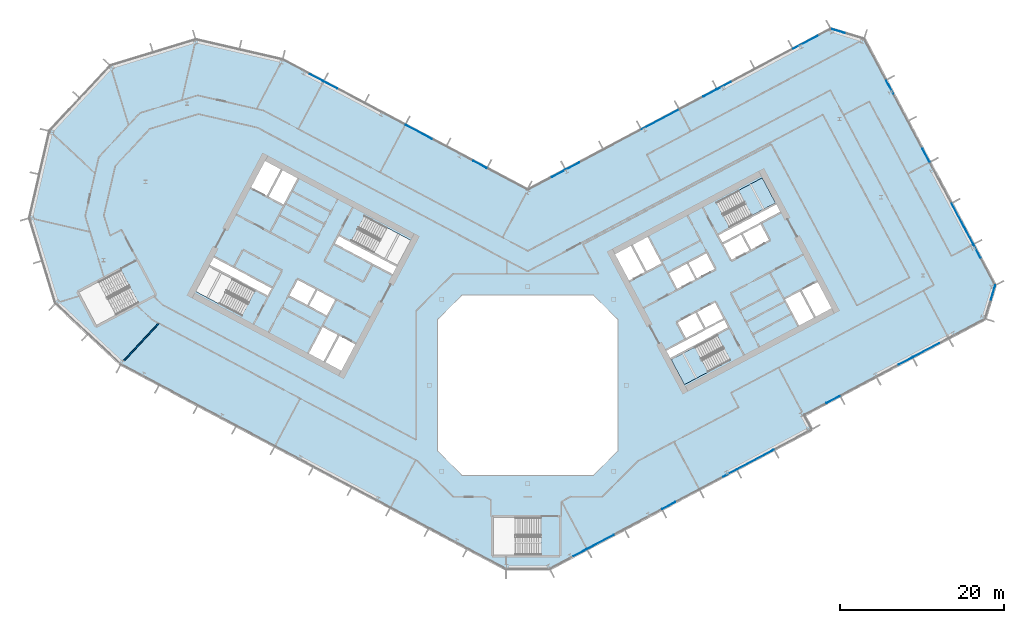
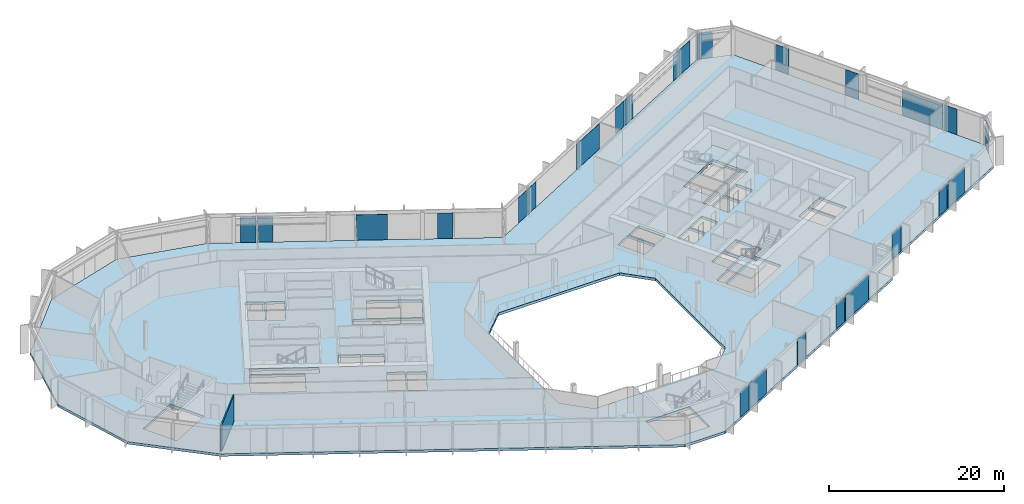
# One storey, part 12 of 28: 24 plates, 3 slabs, 1 wall, 9 elements without a shape of their own.
"""IFC4 building model written with IfcOpenShell, lengths in metres."""

from ifc_helpers import new_model, si_unit, direction, frame, frame_2d, origin, origin_2d, place, context, subcontext, project, spatial, polyline, rectangle, outline, extrude, material, layer, layer_set, type_object, element, aggregate, save


model = new_model("IFC4")

# Units and contexts
model_context = context("Model", 3, precision=1e-05, world=origin(), true_north=direction((0.0, 1.0)))
body_context = subcontext(model_context, "Body", "Model", "MODEL_VIEW")
ifc_project = project(units=[si_unit("LENGTHUNIT", "METRE"), si_unit("AREAUNIT", "SQUARE_METRE"), si_unit("VOLUMEUNIT", "CUBIC_METRE"), si_unit("PLANEANGLEUNIT", "RADIAN"), si_unit("MASSUNIT", "GRAM", prefix="KILO")], contexts=[model_context])

# Site, building, storey
site_placement = place(None, origin())
site = spatial("IfcSite", under=ifc_project, at=site_placement, CompositionType="ELEMENT")
building_placement = place(site_placement, origin())
building = spatial("IfcBuilding", under=site, at=building_placement, Name="Cormorant Relay Tower", CompositionType="ELEMENT")
storey_placement = place(building_placement, frame((0.0, 0.0, 162.199951171875)))
storey = spatial("IfcBuildingStorey", under=building, at=storey_placement, Name="L34", CompositionType="ELEMENT", Elevation=162.199951171875)

# Curtain wall, plates
ifc_material_1 = material(Name="Aluminium 6063-T6 anodised bronze", Category="aluminium")
ifc_layer_1 = layer(ifc_material_1, 0.199951171875)
ifc_layer_set_1 = layer_set([ifc_layer_1], Name="CW1 unitised bronze curtain wall with vertical fins")
curtain_wall_type = type_object("IfcCurtainWallType", Name="CW1 unitised bronze curtain wall with vertical fins", PredefinedType="NOTDEFINED", material=ifc_layer_set_1)
curtain_wall_1_placement = place(storey_placement, origin())
curtain_wall_1 = element("IfcCurtainWall", 1, at=curtain_wall_1_placement, inside=storey, type_object=curtain_wall_type, Name="CW1 curtain wall 2", PredefinedType="NOTDEFINED")
ifc_material_2 = material(Name="Tinted laminated glass", Category="glass")
ifc_layer_2 = layer(ifc_material_2, 0.0400390625)
ifc_layer_set_2 = layer_set([ifc_layer_2], Name="CW1 tinted vision panel 1800 module")
plate_type_1 = type_object("IfcPlateType", Name="CW1 tinted vision panel 1800 module", PredefinedType="CURTAIN_PANEL", material=ifc_layer_set_2)
plate_1_placement = place(storey_placement, frame((6.359130859375, -20.42529296875, 0.0), z_axis=(0.0, 0.0, 1.0), x_axis=(0.882947592859, 0.469471562786, 0.0)))
plate_1 = element("IfcPlate", 2, at=plate_1_placement, type_object=plate_type_1, Name="CW1 panel V01", PredefinedType="CURTAIN_PANEL", context=body_context, shape_type="SweptSolid", body=[
    extrude(rectangle(XDim=1.800048828125, YDim=0.0400390625, at=origin_2d()), origin(), (0.0, 0.0, 1.0), 3.550048828125),
])
plate_2_placement = place(storey_placement, frame((17.20458984375, -14.65869140625, 0.0), z_axis=(0.0, 0.0, 1.0), x_axis=(0.882947592859, 0.469471562786, 0.0)))
plate_2 = element("IfcPlate", 3, at=plate_2_placement, type_object=plate_type_1, Name="CW1 panel V04", PredefinedType="CURTAIN_PANEL", context=body_context, shape_type="SweptSolid", body=[
    extrude(rectangle(XDim=1.800048828125, YDim=0.0400390625, at=origin_2d()), origin(), (0.0, 0.0, 1.0), 3.550048828125),
])
plate_3_placement = place(storey_placement, frame((24.6064453125, -10.72314453125, 0.0), z_axis=(0.0, 0.0, 1.0), x_axis=(0.882947592859, 0.469471562786, 0.0)))
plate_3 = element("IfcPlate", 4, at=plate_3_placement, type_object=plate_type_1, Name="CW1 panel V06", PredefinedType="CURTAIN_PANEL", context=body_context, shape_type="SweptSolid", body=[
    extrude(rectangle(XDim=1.800048828125, YDim=0.0400390625, at=origin_2d()), origin(), (0.0, 0.0, 1.0), 3.550048828125),
])

curtain_wall_2_placement = place(storey_placement, origin())
curtain_wall_2 = element("IfcCurtainWall", 5, at=curtain_wall_2_placement, inside=storey, type_object=curtain_wall_type, Name="CW1 curtain wall 4", PredefinedType="NOTDEFINED")
plate_4_placement = place(storey_placement, frame((37.205810546875, -1.7587890625, 0.0), z_axis=(0.0, 0.0, 1.0), x_axis=(0.882947592859, 0.469471562786, 0.0)))
plate_4 = element("IfcPlate", 6, at=plate_4_placement, type_object=plate_type_1, Name="CW1 panel V01", PredefinedType="CURTAIN_PANEL", context=body_context, shape_type="SweptSolid", body=[
    extrude(rectangle(XDim=1.800048828125, YDim=0.0400390625, at=origin_2d()), origin(), (0.0, 0.0, 1.0), 3.550048828125),
])
plate_5_placement = place(storey_placement, frame((46.03515625, 2.935791015625, 0.0), z_axis=(0.0, 0.0, 1.0), x_axis=(0.882947592859, 0.469471562786, 0.0)))
plate_5 = element("IfcPlate", 7, at=plate_5_placement, type_object=plate_type_1, Name="CW1 panel V03", PredefinedType="CURTAIN_PANEL", context=body_context, shape_type="SweptSolid", body=[
    extrude(rectangle(XDim=1.800048828125, YDim=0.0400390625, at=origin_2d()), origin(), (0.0, 0.0, 1.0), 3.550048828125),
])

# Curtain wall, plate
curtain_wall_3_placement = place(storey_placement, origin())
curtain_wall_3 = element("IfcCurtainWall", 8, at=curtain_wall_3_placement, inside=storey, type_object=curtain_wall_type, Name="CW1 curtain wall 5", PredefinedType="NOTDEFINED")
plate_6_placement = place(storey_placement, frame((56.712646484375, 11.296630859375, 0.0), z_axis=(0.0, 0.0, 1.0), x_axis=(0.292371704723, 0.956304755963, 0.0)))
plate_6 = element("IfcPlate", 9, at=plate_6_placement, type_object=plate_type_1, Name="CW1 panel V01", PredefinedType="CURTAIN_PANEL", context=body_context, shape_type="SweptSolid", body=[
    extrude(rectangle(XDim=1.800048828125, YDim=0.0400390625, at=origin_2d()), origin(), (0.0, 0.0, 1.0), 3.550048828125),
])
aggregate(curtain_wall_3, [plate_6])

# Curtain wall, plates
curtain_wall_4_placement = place(storey_placement, origin())
curtain_wall_4 = element("IfcCurtainWall", 10, at=curtain_wall_4_placement, inside=storey, type_object=curtain_wall_type, Name="CW1 curtain wall 6", PredefinedType="NOTDEFINED")
plate_7_placement = place(storey_placement, frame((54.771728515625, 16.315185546875, 0.0), z_axis=(0.0, 0.0, 1.0), x_axis=(-0.469471562786, 0.882947592859, 0.0)))
plate_7 = element("IfcPlate", 11, at=plate_7_placement, type_object=plate_type_1, Name="CW1 panel V01", PredefinedType="CURTAIN_PANEL", context=body_context, shape_type="SweptSolid", body=[
    extrude(rectangle(XDim=1.800048828125, YDim=0.0400390625, at=origin_2d()), origin(), (0.0, 0.0, 1.0), 3.550048828125),
])
plate_8_placement = place(storey_placement, frame((48.535400390625, 28.043701171875, 0.0), z_axis=(0.0, 0.0, 1.0), x_axis=(-0.469471562786, 0.882947592859, 0.0)))
plate_8 = element("IfcPlate", 12, at=plate_8_placement, type_object=plate_type_1, Name="CW1 panel V04", PredefinedType="CURTAIN_PANEL", context=body_context, shape_type="SweptSolid", body=[
    extrude(rectangle(XDim=1.800048828125, YDim=0.0400390625, at=origin_2d()), origin(), (0.0, 0.0, 1.0), 3.550048828125),
])
plate_9_placement = place(storey_placement, frame((44.13037109375, 36.32861328125, 0.0), z_axis=(0.0, 0.0, 1.0), x_axis=(-0.469471562786, 0.882947592859, 0.0)))
plate_9 = element("IfcPlate", 13, at=plate_9_placement, type_object=plate_type_1, Name="CW1 panel V06", PredefinedType="CURTAIN_PANEL", context=body_context, shape_type="SweptSolid", body=[
    extrude(rectangle(XDim=1.800048828125, YDim=0.0400390625, at=origin_2d()), origin(), (0.0, 0.0, 1.0), 3.550048828125),
])

# Curtain wall, plate
curtain_wall_5_placement = place(storey_placement, origin())
curtain_wall_5 = element("IfcCurtainWall", 14, at=curtain_wall_5_placement, inside=storey, type_object=curtain_wall_type, Name="CW1 curtain wall 7", PredefinedType="NOTDEFINED")
plate_10_placement = place(storey_placement, frame((37.8037109375, 43.179931640625, 0.0), z_axis=(0.0, 0.0, 1.0), x_axis=(-0.956304755963, 0.292371704723, 0.0)))
plate_10 = element("IfcPlate", 15, at=plate_10_placement, type_object=plate_type_1, Name="CW1 panel V01", PredefinedType="CURTAIN_PANEL", context=body_context, shape_type="SweptSolid", body=[
    extrude(rectangle(XDim=1.800048828125, YDim=0.0400390625, at=origin_2d()), origin(), (0.0, 0.0, 1.0), 3.550048828125),
])
aggregate(curtain_wall_5, [plate_10])

# Curtain wall, plates
curtain_wall_6_placement = place(storey_placement, origin())
curtain_wall_6 = element("IfcCurtainWall", 16, at=curtain_wall_6_placement, inside=storey, type_object=curtain_wall_type, Name="CW1 curtain wall 8", PredefinedType="NOTDEFINED")
plate_11_placement = place(storey_placement, frame((23.937255859375, 36.5341796875, 0.0), z_axis=(0.0, 0.0, 1.0), x_axis=(-0.882947592859, -0.469471562786, 0.0)))
plate_11 = element("IfcPlate", 17, at=plate_11_placement, type_object=plate_type_1, Name="CW1 panel V03", PredefinedType="CURTAIN_PANEL", context=body_context, shape_type="SweptSolid", body=[
    extrude(rectangle(XDim=1.800048828125, YDim=0.0400390625, at=origin_2d()), origin(), (0.0, 0.0, 1.0), 3.550048828125),
])
plate_12_placement = place(storey_placement, frame((22.215576171875, 35.618896484375, 0.0), z_axis=(0.0, 0.0, 1.0), x_axis=(-0.882947592859, -0.469471562786, 0.0)))
plate_12 = element("IfcPlate", 18, at=plate_12_placement, type_object=plate_type_1, Name="CW1 panel V04", PredefinedType="CURTAIN_PANEL", context=body_context, shape_type="SweptSolid", body=[
    extrude(rectangle(XDim=1.800048828125, YDim=0.0400390625, at=origin_2d()), origin(), (0.0, 0.0, 1.0), 3.550048828125),
])
plate_13_placement = place(storey_placement, frame((5.468505859375, 26.71435546875, 0.0), z_axis=(0.0, 0.0, 1.0), x_axis=(-0.882947592859, -0.469471562786, 0.0)))
plate_13 = element("IfcPlate", 19, at=plate_13_placement, type_object=plate_type_1, Name="CW1 panel V08", PredefinedType="CURTAIN_PANEL", context=body_context, shape_type="SweptSolid", body=[
    extrude(rectangle(XDim=1.800048828125, YDim=0.0400390625, at=origin_2d()), origin(), (0.0, 0.0, 1.0), 3.550048828125),
])
plate_14_placement = place(storey_placement, frame((3.746826171875, 25.798828125, 0.0), z_axis=(0.0, 0.0, 1.0), x_axis=(-0.882947592859, -0.469471562786, 0.0)))
plate_14 = element("IfcPlate", 20, at=plate_14_placement, type_object=plate_type_1, Name="CW1 panel V09", PredefinedType="CURTAIN_PANEL", context=body_context, shape_type="SweptSolid", body=[
    extrude(rectangle(XDim=1.800048828125, YDim=0.0400390625, at=origin_2d()), origin(), (0.0, 0.0, 1.0), 3.550048828125),
])

curtain_wall_7_placement = place(storey_placement, origin())
curtain_wall_7 = element("IfcCurtainWall", 21, at=curtain_wall_7_placement, inside=storey, type_object=curtain_wall_type, Name="CW1 curtain wall 9", PredefinedType="NOTDEFINED")
plate_15_placement = place(storey_placement, frame((-5.830322265625, 26.90673828125, 0.0), z_axis=(0.0, 0.0, 1.0), x_axis=(-0.882947592859, 0.469471562786, 0.0)))
plate_15 = element("IfcPlate", 22, at=plate_15_placement, type_object=plate_type_1, Name="CW1 panel V01", PredefinedType="CURTAIN_PANEL", context=body_context, shape_type="SweptSolid", body=[
    extrude(rectangle(XDim=1.800048828125, YDim=0.0400390625, at=origin_2d()), origin(), (0.0, 0.0, 1.0), 3.550048828125),
])
plate_16_placement = place(storey_placement, frame((-24.0244140625, 36.580810546875, 0.0), z_axis=(0.0, 0.0, 1.0), x_axis=(-0.882947592859, 0.469471562786, 0.0)))
plate_16 = element("IfcPlate", 23, at=plate_16_placement, type_object=plate_type_1, Name="CW1 panel V05", PredefinedType="CURTAIN_PANEL", context=body_context, shape_type="SweptSolid", body=[
    extrude(rectangle(XDim=1.800048828125, YDim=0.0400390625, at=origin_2d()), origin(), (0.0, 0.0, 1.0), 3.550048828125),
])
plate_17_placement = place(storey_placement, frame((-25.746337890625, 37.49609375, 0.0), z_axis=(0.0, 0.0, 1.0), x_axis=(-0.882947592859, 0.469471562786, 0.0)))
plate_17 = element("IfcPlate", 24, at=plate_17_placement, type_object=plate_type_1, Name="CW1 panel V06", PredefinedType="CURTAIN_PANEL", context=body_context, shape_type="SweptSolid", body=[
    extrude(rectangle(XDim=1.800048828125, YDim=0.0400390625, at=origin_2d()), origin(), (0.0, 0.0, 1.0), 3.550048828125),
])

# Plate
ifc_material_3 = material(Name="Tinted laminated glass", Category="glass")
ifc_layer_3 = layer(ifc_material_3, 0.0400390625)
ifc_layer_set_3 = layer_set([ifc_layer_3], Name="CW1 tinted vision panel 3600 module")
plate_type_2 = type_object("IfcPlateType", Name="CW1 tinted vision panel 3600 module", PredefinedType="CURTAIN_PANEL", material=ifc_layer_set_3)
plate_18_placement = place(storey_placement, frame((8.87548828125, -19.08740234375, 0.0), z_axis=(0.0, 0.0, 1.0), x_axis=(0.882947592859, 0.469471562786, 0.0)))
plate_18 = element("IfcPlate", 25, at=plate_18_placement, type_object=plate_type_2, Name="CW1 panel V02", PredefinedType="CURTAIN_PANEL", context=body_context, shape_type="SweptSolid", body=[
    extrude(rectangle(XDim=3.60009765625, YDim=0.0400390625, at=origin_2d()), origin(), (0.0, 0.0, 1.0), 3.550048828125),
])

plate_19_placement = place(storey_placement, frame((48.551513671875, 4.27392578125, 0.0), z_axis=(0.0, 0.0, 1.0), x_axis=(0.882947592859, 0.469471562786, 0.0)))
plate_19 = element("IfcPlate", 26, at=plate_19_placement, type_object=plate_type_2, Name="CW1 panel V04", PredefinedType="CURTAIN_PANEL", context=body_context, shape_type="SweptSolid", body=[
    extrude(rectangle(XDim=3.60009765625, YDim=0.0400390625, at=origin_2d()), origin(), (0.0, 0.0, 1.0), 3.550048828125),
])

aggregate(curtain_wall_2, [plate_4, plate_5, plate_19])

plate_20_placement = place(storey_placement, frame((33.96630859375, 41.86669921875, 0.0), z_axis=(0.0, 0.0, 1.0), x_axis=(-0.882947592859, -0.469471562786, 0.0)))
plate_20 = element("IfcPlate", 27, at=plate_20_placement, type_object=plate_type_2, Name="CW1 panel V01", PredefinedType="CURTAIN_PANEL", context=body_context, shape_type="SweptSolid", body=[
    extrude(rectangle(XDim=3.60009765625, YDim=0.0400390625, at=origin_2d()), origin(), (0.0, 0.0, 1.0), 3.550048828125),
])

plate_21_placement = place(storey_placement, frame((-13.27197265625, 30.86328125, 0.0), z_axis=(0.0, 0.0, 1.0), x_axis=(-0.882947592859, 0.469471562786, 0.0)))
plate_21 = element("IfcPlate", 28, at=plate_21_placement, type_object=plate_type_2, Name="CW1 panel V03", PredefinedType="CURTAIN_PANEL", context=body_context, shape_type="SweptSolid", body=[
    extrude(rectangle(XDim=3.60009765625, YDim=0.0400390625, at=origin_2d()), origin(), (0.0, 0.0, 1.0), 3.550048828125),
])

aggregate(curtain_wall_7, [plate_15, plate_21, plate_16, plate_17])

ifc_material_4 = material(Name="Tinted laminated glass", Category="glass")
ifc_layer_4 = layer(ifc_material_4, 0.0400390625)
ifc_layer_set_4 = layer_set([ifc_layer_4], Name="CW1 tinted vision panel 5400 module")
plate_type_3 = type_object("IfcPlateType", Name="CW1 tinted vision panel 5400 module", PredefinedType="CURTAIN_PANEL", material=ifc_layer_set_4)
plate_22_placement = place(storey_placement, frame((27.748046875, -9.052734375, 0.0), z_axis=(0.0, 0.0, 1.0), x_axis=(0.882947592859, 0.469471562786, 0.0)))
plate_22 = element("IfcPlate", 29, at=plate_22_placement, type_object=plate_type_3, Name="CW1 panel V07", PredefinedType="CURTAIN_PANEL", context=body_context, shape_type="SweptSolid", body=[
    extrude(rectangle(XDim=5.0166015625, YDim=0.0400390625, at=origin_2d()), origin(), (0.0, 0.0, 1.0), 3.550048828125),
])

aggregate(curtain_wall_1, [plate_1, plate_18, plate_2, plate_3, plate_22])

plate_23_placement = place(storey_placement, frame((52.98388671875, 19.677734375, 0.0), z_axis=(0.0, 0.0, 1.0), x_axis=(-0.469471562786, 0.882947592859, 0.0)))
plate_23 = element("IfcPlate", 30, at=plate_23_placement, type_object=plate_type_3, Name="CW1 panel V02", PredefinedType="CURTAIN_PANEL", context=body_context, shape_type="SweptSolid", body=[
    extrude(rectangle(XDim=5.5166015625, YDim=0.0400390625, at=origin_2d()), origin(), (0.0, 0.0, 1.0), 3.550048828125),
])

aggregate(curtain_wall_4, [plate_7, plate_23, plate_8, plate_9])

plate_24_placement = place(storey_placement, frame((16.150634765625, 32.39404296875, 0.0), z_axis=(0.0, 0.0, 1.0), x_axis=(-0.882947592859, -0.469471562786, 0.0)))
plate_24 = element("IfcPlate", 31, at=plate_24_placement, type_object=plate_type_3, Name="CW1 panel V06", PredefinedType="CURTAIN_PANEL", context=body_context, shape_type="SweptSolid", body=[
    extrude(rectangle(XDim=5.079345703125, YDim=0.0400390625, at=origin_2d()), origin(), (0.0, 0.0, 1.0), 3.550048828125),
])

aggregate(curtain_wall_6, [plate_20, plate_11, plate_12, plate_24, plate_13, plate_14])

# Stair, slab
ifc_material_5 = material(Name="Concrete 40 MPa", Category="concrete")
stair_type = type_object("IfcStairType", Name="Exit stair 1500", PredefinedType="HALF_TURN_STAIR", material=ifc_material_5)
stair_1_placement = place(storey_placement, origin())
stair_1 = element("IfcStair", 32, at=stair_1_placement, inside=storey, type_object=stair_type, Name="L34 Stair", PredefinedType="HALF_TURN_STAIR")
ifc_material_6 = material(Name="Concrete 40 MPa", Category="concrete")
ifc_layer_5 = layer(ifc_material_6, 0.199951171875)
ifc_layer_set_5 = layer_set([ifc_layer_5], Name="Exit stair landing 200")
slab_type_1 = type_object("IfcSlabType", Name="Exit stair landing 200", PredefinedType="LANDING", material=ifc_layer_set_5)
slab_1_placement = place(storey_placement, frame((0.0, 0.0, 1.800048828125)))
slab_1 = element("IfcSlab", 33, at=slab_1_placement, type_object=slab_type_1, Name="B1 landing 1", PredefinedType="LANDING", context=body_context, shape_type="SweptSolid", body=[
    extrude(outline(polyline([(20.36767578125, 4.6572265625), (17.48046875, 3.1220703125), (19.10009765625, 0.075927734375), (21.9873046875, 1.611083984375), (20.36767578125, 4.6572265625)])), origin(), (0.0, 0.0, 1.0), 0.199951171875),
])
aggregate(stair_1, [slab_1])

stair_2_placement = place(storey_placement, origin())
stair_2 = element("IfcStair", 34, at=stair_2_placement, inside=storey, type_object=stair_type, Name="L34 Stair", PredefinedType="HALF_TURN_STAIR")
slab_2_placement = place(storey_placement, frame((0.0, 0.0, 1.800048828125)))
slab_2 = element("IfcSlab", 35, at=slab_2_placement, type_object=slab_type_1, Name="B2 landing 1", PredefinedType="LANDING", context=body_context, shape_type="SweptSolid", body=[
    extrude(outline(polyline([(27.3115234375, 20.6943359375), (30.19873046875, 22.2294921875), (28.5791015625, 25.275634765625), (25.69189453125, 23.740478515625), (27.3115234375, 20.6943359375)])), origin(), (0.0, 0.0, 1.0), 0.199951171875),
])
aggregate(stair_2, [slab_2])

# Slab
ifc_material_7 = material(Name="Concrete 40 MPa", Category="concrete")
ifc_layer_6 = layer(ifc_material_7, 0.360107421875)
ifc_layer_set_6 = layer_set([ifc_layer_6], Name="Flat plate 360")
slab_type_2 = type_object("IfcSlabType", Name="Flat plate 360", PredefinedType="FLOOR", material=ifc_layer_set_6)
slab_3_placement = place(storey_placement, frame((0.0, 0.0, -0.35986328125)))
element("IfcSlab", 36, at=slab_3_placement, inside=storey, type_object=slab_type_2, Name="Floor slab L34", PredefinedType="FLOOR", context=body_context, shape_type="SweptSolid", body=[
    extrude(outline(polyline([(-60.7197265625, 20.393310546875), (-58.2744140625, 30.985107421875), (-50.86083984375, 38.935302734375), (-40.465576171875, 42.11328125), (-29.873779296875, 39.668212890625), (0.0, 23.783935546875), (36.937255859375, 43.423828125), (40.99462890625, 42.18359375), (56.95654296875, 12.1630859375), (55.71630859375, 8.10595703125), (33.642578125, -3.630859375), (34.581298828125, -5.396728515625), (2.648681640625, -22.37548828125), (-2.648681640625, -22.37548828125), (-49.591552734375, 2.584228515625), (-57.541748046875, 9.997802734375), (-60.7197265625, 20.393310546875)]), holes=[polyline([(11.0, -8.0), (11.0, 8.0), (8.0, 11.0), (-8.0, 11.0), (-11.0, 8.0), (-11.0, -8.0), (-8.0, -11.0), (8.0, -11.0), (11.0, -8.0)]), polyline([(-4.199951171875, -16.125), (-4.199951171875, -20.675048828125), (1.60009765625, -20.675048828125), (1.60009765625, -16.125), (-4.199951171875, -16.125)]), polyline([(-22.95458984375, 6.03271484375), (-24.668212890625, 2.81005859375), (-22.725830078125, 1.777099609375), (-21.01220703125, 5.0), (-23.04296875, 6.07958984375), (-22.95458984375, 6.03271484375)]), polyline([(-24.985595703125, 7.112548828125), (-26.69921875, 3.889892578125), (-24.844970703125, 2.90380859375), (-23.13134765625, 6.126708984375), (-23.04296875, 6.07958984375), (-24.985595703125, 7.112548828125)]), polyline([(-26.688720703125, 9.660400390625), (-24.481201171875, 8.48681640625), (-23.448486328125, 10.42919921875), (-25.656005859375, 11.602783203125), (-26.688720703125, 9.660400390625)]), polyline([(-49.57861328125, 14.0537109375), (-54.69970703125, 11.330810546875), (-52.563720703125, 7.3134765625), (-47.442626953125, 10.036376953125), (-49.57861328125, 14.0537109375)]), polyline([(-28.039794921875, 12.870361328125), (-29.07275390625, 10.927978515625), (-26.865234375, 9.75439453125), (-25.83251953125, 11.69677734375), (-28.039794921875, 12.870361328125)]), polyline([(-38.847900390625, 14.483154296875), (-40.46728515625, 11.43701171875), (-34.860595703125, 8.455810546875), (-33.240966796875, 11.502197265625), (-38.847900390625, 14.483154296875)]), polyline([(-38.260986328125, 15.5869140625), (-38.75390625, 14.659912109375), (-31.690185546875, 10.904052734375), (-31.197265625, 11.8310546875), (-38.260986328125, 15.5869140625)]), polyline([(14.3056640625, 13.779052734375), (12.592041015625, 17.001708984375), (10.649658203125, 15.968994140625), (12.36328125, 12.74609375), (14.39404296875, 13.825927734375), (14.3056640625, 13.779052734375)]), polyline([(16.33642578125, 14.85888671875), (14.622802734375, 18.08154296875), (12.768798828125, 17.095703125), (14.482421875, 13.872802734375), (14.39404296875, 13.825927734375), (16.33642578125, 14.85888671875)]), polyline([(-16.481689453125, 13.520263671875), (-15.989013671875, 14.447509765625), (-23.052490234375, 18.203125), (-23.54541015625, 17.276123046875), (-16.481689453125, 13.520263671875)]), polyline([(-21.501708984375, 17.605224609375), (-15.89501953125, 14.6240234375), (-14.275390625, 17.670166015625), (-19.882080078125, 20.6513671875), (-21.501708984375, 17.605224609375)]), polyline([(-31.611572265625, 22.980712890625), (-29.75732421875, 21.99462890625), (-28.043701171875, 25.217529296875), (-29.89794921875, 26.203369140625), (-31.611572265625, 22.980712890625)]), polyline([(-32.01708984375, 27.330078125), (-33.73046875, 24.107421875), (-31.7880859375, 23.074462890625), (-30.074462890625, 26.29736328125), (-32.01708984375, 27.330078125)]), polyline([(17.48046875, 3.1220703125), (19.10009765625, 0.07568359375), (24.706787109375, 3.056884765625), (23.087158203125, 6.10302734375), (17.48046875, 3.1220703125)]), polyline([(16.8935546875, 4.2255859375), (17.386474609375, 3.298583984375), (24.4501953125, 7.054443359375), (23.957275390625, 7.9814453125), (16.8935546875, 4.2255859375)]), polyline([(20.446533203125, 8.8330078125), (18.239013671875, 7.6591796875), (19.27197265625, 5.716796875), (21.479248046875, 6.890380859375), (20.446533203125, 8.8330078125)]), polyline([(20.623046875, 8.927001953125), (21.656005859375, 6.984375), (23.86328125, 8.158203125), (22.830322265625, 10.1005859375), (20.623046875, 8.927001953125)]), polyline([(33.197021484375, 11.478515625), (31.3427734375, 10.49267578125), (33.056396484375, 7.27001953125), (34.910400390625, 8.255859375), (33.197021484375, 11.478515625)]), polyline([(33.37353515625, 11.572509765625), (35.087158203125, 8.349609375), (37.029541015625, 9.382568359375), (35.31591796875, 12.605224609375), (33.37353515625, 11.572509765625)]), polyline([(19.401123046875, 14.84619140625), (17.19384765625, 13.67236328125), (18.2265625, 11.72998046875), (20.43408203125, 12.903564453125), (19.401123046875, 14.84619140625)]), polyline([(22.81787109375, 14.171142578125), (21.78515625, 16.113525390625), (19.57763671875, 14.93994140625), (20.610595703125, 12.99755859375), (22.81787109375, 14.171142578125)]), polyline([(26.023193359375, 18.3671875), (23.81591796875, 17.193359375), (24.8486328125, 15.2509765625), (27.05615234375, 16.424560546875), (26.023193359375, 18.3671875)]), polyline([(29.440185546875, 17.692138671875), (28.4072265625, 19.634765625), (26.19970703125, 18.4609375), (27.232666015625, 16.5185546875), (29.440185546875, 17.692138671875)]), polyline([(30.78564453125, 21.125732421875), (30.29248046875, 22.052978515625), (23.22900390625, 18.297119140625), (23.721923828125, 17.3701171875), (30.78564453125, 21.125732421875)]), polyline([(24.592041015625, 19.248291015625), (30.19873046875, 22.2294921875), (28.5791015625, 25.275634765625), (22.972412109375, 22.29443359375), (24.592041015625, 19.248291015625)])]), origin(), (0.0, 0.0, 1.0), 0.35986328125),
])

# Wall
ifc_material_8 = material(Name="Gypsum board partition")
ifc_layer_7 = layer(ifc_material_8, 0.14990234375)
ifc_layer_set_7 = layer_set([ifc_layer_7], Name="Tenant partition 150")
wall_type = type_object("IfcWallType", Name="Tenant partition 150", PredefinedType="PARTITIONING", material=ifc_layer_set_7)
wall_placement = place(storey_placement, frame((-44.967041015625, 7.5439453125, 0.0), z_axis=(0.0, 0.0, 1.0), x_axis=(-0.681977908196, -0.731372772759, 0.0)))
element("IfcWall", 37, at=wall_placement, inside=storey, type_object=wall_type, Name="wall/L34/part/011", PredefinedType="PARTITIONING", context=body_context, shape_type="SweptSolid", body=[
    extrude(rectangle(XDim=6.237548828125, YDim=0.14990234375, at=frame_2d((3.11865234375, 0.0))), origin(), (0.0, 0.0, 1.0), 3.64013671875),
])

save(model, "model.ifc")
